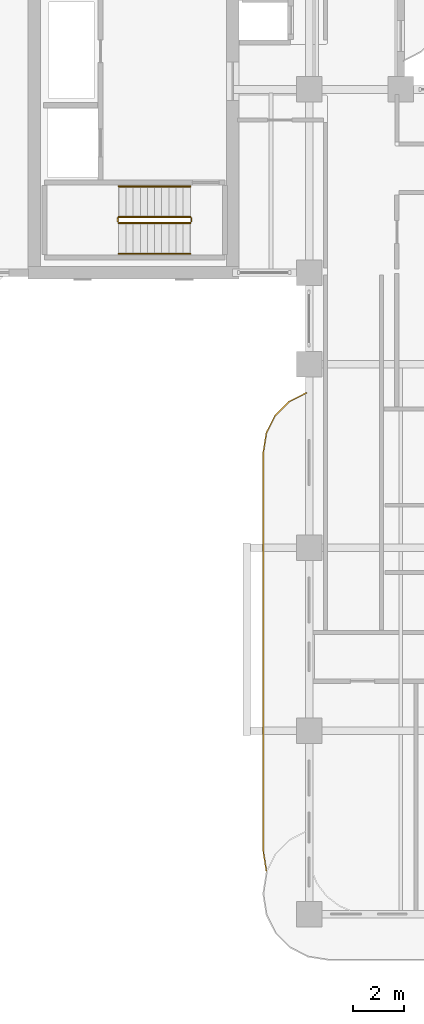
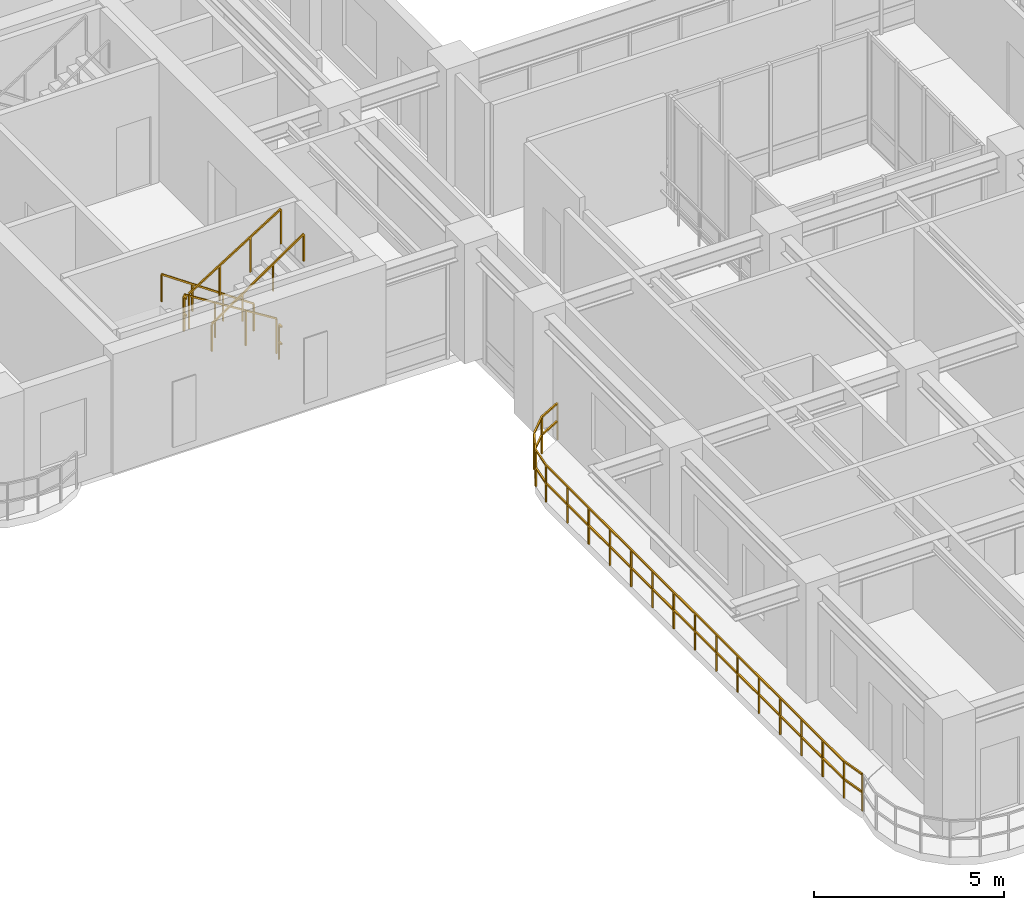
# One storey, part 17 of 21: 7 railings.
"""IFC4 building model written with IfcOpenShell, lengths in metres."""

import ifcopenshell
import ifcopenshell.guid

model = None  # the IFC model being written
_history = None  # IfcOwnerHistory: only IFC2X3 demands one
_inside = {}  # id of a spatial element -> (the spatial element, [elements in it])
_under = {}  # id of a project, library or spatial element -> (it, [spatial elements below it])
_declared = {}  # id of a project -> (the project, [libraries it declares])
_typed = {}  # id of a type object -> (the type object, [elements of that type])
_made_of = {}  # id of a material, layer set ... -> (it, [elements and type objects made of it])


def new_model(schema):
    """Start an empty IFC model of exactly this schema.

    Asked for "IFC4X3", IfcOpenShell would pick the latest addendum, in which some entities
    have other attributes; the version numbers below select the first issue.
    IFC2X3 requires an IfcOwnerHistory on every rooted entity: one is made here for all.
    """
    global model, _history
    if schema == "IFC4X3":
        model = ifcopenshell.file(schema_version=(4, 3, 0, 0))
    else:
        model = ifcopenshell.file(schema=schema)
    _inside.clear()
    _under.clear()
    _declared.clear()
    _typed.clear()
    _made_of.clear()
    _history = None
    if model.schema == "IFC2X3":
        org = make("IfcOrganization", Name="unknown")
        user = make(
            "IfcPersonAndOrganization",
            ThePerson=make("IfcPerson", FamilyName="unknown"),
            TheOrganization=org,
        )
        app = make(
            "IfcApplication",
            ApplicationDeveloper=org,
            Version="unknown",
            ApplicationFullName="unknown",
            ApplicationIdentifier="unknown",
        )
        _history = make(
            "IfcOwnerHistory",
            OwningUser=user,
            OwningApplication=app,
            ChangeAction="ADDED",
            CreationDate=0,
        )
    return model


def make(cls, **values):
    """One entity of the class cls with the attributes given. An attribute that is None is left unset."""
    return model.create_entity(
        cls, **{name: value for name, value in values.items() if value is not None}
    )


def rooted(cls, **values):
    """An entity with a GlobalId (a new one), such as an element, a storey or a relation."""
    return make(cls, GlobalId=ifcopenshell.guid.new(), OwnerHistory=_history, **values)


def si_unit(unit_type, name, prefix=None):
    """IfcSIUnit, for example si_unit("LENGTHUNIT", "METRE", prefix="MILLI")."""
    return make("IfcSIUnit", UnitType=unit_type, Prefix=prefix, Name=name)


def derived_unit(unit_type, elements):
    """IfcDerivedUnit: a product of units, each with its exponent."""
    return make(
        "IfcDerivedUnit",
        Elements=[
            make("IfcDerivedUnitElement", Unit=unit, Exponent=power)
            for unit, power in elements
        ],
        UnitType=unit_type,
    )


def assignment(units):
    """IfcUnitAssignment: the units of a project."""
    return None if units is None else make("IfcUnitAssignment", Units=units)


def point(xyz):
    """IfcCartesianPoint."""
    return None if xyz is None else make("IfcCartesianPoint", Coordinates=xyz)


def direction(xyz):
    """IfcDirection."""
    return None if xyz is None else make("IfcDirection", DirectionRatios=xyz)


def frame(location, z_axis=None, x_axis=None):
    """IfcAxis2Placement3D, a coordinate frame: its origin and axes. An axis left out is left unset."""
    return make(
        "IfcAxis2Placement3D",
        Location=point(location),
        Axis=direction(z_axis),
        RefDirection=direction(x_axis),
    )


def frame_2d(location, x_axis=None):
    """IfcAxis2Placement2D, a coordinate frame in the plane: its origin and x axis."""
    return make(
        "IfcAxis2Placement2D", Location=point(location), RefDirection=direction(x_axis)
    )


def origin():
    """The frame at (0, 0, 0) with its axes left unset."""
    return frame((0.0, 0.0, 0.0))


def origin_2d():
    """The frame at (0, 0) in the plane with its x axis left unset."""
    return frame_2d((0.0, 0.0))


def place(relative_to, where):
    """IfcLocalPlacement: puts the frame where relative to a parent placement (None: the world)."""
    return make(
        "IfcLocalPlacement", PlacementRelTo=relative_to, RelativePlacement=where
    )


def context(
    kind, dimensions, precision=None, world=None, true_north=None, identifier=None
):
    """IfcGeometricRepresentationContext, for example the 3D "Model" context."""
    return make(
        "IfcGeometricRepresentationContext",
        ContextIdentifier=identifier,
        ContextType=kind,
        CoordinateSpaceDimension=dimensions,
        Precision=precision,
        WorldCoordinateSystem=world,
        TrueNorth=true_north,
    )


def subcontext(parent, identifier, kind, view, scale=None):
    """IfcGeometricRepresentationSubContext, for example "Body" below "Model"."""
    return make(
        "IfcGeometricRepresentationSubContext",
        ContextIdentifier=identifier,
        ContextType=kind,
        ParentContext=parent,
        TargetScale=scale,
        TargetView=view,
    )


def project(units=None, contexts=None):
    """IfcProject with its units and contexts."""
    return rooted(
        "IfcProject",
        Name="project",
        RepresentationContexts=contexts,
        UnitsInContext=assignment(units),
    )


def spatial(cls, under=None, at=None, **own):
    """A site, building, storey or space (cls), placed at a placement, below another one or the project."""
    s = rooted(cls, ObjectPlacement=at, **own)
    if under is not None:
        _under.setdefault(under.id(), (under, []))[1].append(s)
    return s


def profile(cls, at=None, kind="AREA", **sizes):
    """A parametric profile (cls). Its sizes go by their IFC names, for example OverallWidth=200.0."""
    return make(cls, ProfileType=kind, Position=at, **sizes)


def rectangle(**sizes):
    """IfcRectangleProfileDef."""
    return profile("IfcRectangleProfileDef", **sizes)


def extrude(swept, where, along, depth):
    """IfcExtrudedAreaSolid: the profile swept, set in the frame where, extruded along a direction by depth."""
    return make(
        "IfcExtrudedAreaSolid",
        SweptArea=swept,
        Position=where,
        ExtrudedDirection=direction(along),
        Depth=depth,
    )


def shape(context_of_items, identifier, shape_type, items):
    """IfcShapeRepresentation: the items that make up one representation, for example the "Body"."""
    return make(
        "IfcShapeRepresentation",
        ContextOfItems=context_of_items,
        RepresentationIdentifier=identifier,
        RepresentationType=shape_type,
        Items=items,
    )


def material(Name=None, Category=None):
    """IfcMaterial."""
    return make("IfcMaterial", Name=Name, Category=Category)


def made_of(thing, what):
    """Note that an element or type object is made of a material, layer set ...; save() writes the relation."""
    if what is not None:
        _made_of.setdefault(what.id(), (what, []))[1].append(thing)
    return thing


def type_object(cls, material=None, **own):
    """A type object (cls), such as IfcWallType, which elements share."""
    return made_of(rooted(cls, **own), material)


def element(
    cls,
    number,
    at=None,
    inside=None,
    cuts=None,
    type_object=None,
    material=None,
    context=None,
    identifier="Body",
    shape_type=None,
    held_by="IfcProductDefinitionShape",
    body=None,
    shapes=None,
    **own,
):
    """One element of the class cls, such as IfcWall. Its Tag is "e" and its number.

    at: its placement. inside: the storey or other place that contains it. cuts: it is an
    opening in that element (IfcRelVoidsElement). A single representation is given by context,
    identifier, shape_type and body (its items); several are given by shapes. held_by: the class
    of the entity that holds the representations. save() writes the other relations.
    """
    e = rooted(cls, Tag="e%d" % number, ObjectPlacement=at, **own)
    if body is not None:
        shapes = [shape(context, identifier, shape_type, body)]
    if shapes is not None:
        e.Representation = make(held_by, Representations=shapes)
    if inside is not None:
        _inside.setdefault(inside.id(), (inside, []))[1].append(e)
    if cuts is not None:
        rooted(
            "IfcRelVoidsElement", RelatingBuildingElement=cuts, RelatedOpeningElement=e
        )
    if type_object is not None:
        _typed.setdefault(type_object.id(), (type_object, []))[1].append(e)
    return made_of(e, material)


def aggregate(whole, parts):
    """IfcRelAggregates: a whole, such as a stair, and the parts it consists of."""
    return rooted("IfcRelAggregates", RelatingObject=whole, RelatedObjects=parts)


def save(model, path):
    """Write the relations noted so far, then the file.

    IfcRelAggregates (storeys below a building ...), IfcRelContainedInSpatialStructure (elements
    in a storey), IfcRelDefinesByType, IfcRelAssociatesMaterial and IfcRelDeclares: one each for
    every whole, place, type object, material and project.
    """
    for whole, parts in _under.values():
        aggregate(whole, parts)
    for where, things in _inside.values():
        rooted(
            "IfcRelContainedInSpatialStructure",
            RelatedElements=things,
            RelatingStructure=where,
        )
    for kind, things in _typed.values():
        rooted("IfcRelDefinesByType", RelatedObjects=things, RelatingType=kind)
    for what, things in _made_of.values():
        rooted("IfcRelAssociatesMaterial", RelatedObjects=things, RelatingMaterial=what)
    for by, libraries in _declared.values():
        rooted("IfcRelDeclares", RelatingContext=by, RelatedDefinitions=libraries)
    model.write(path)


model = new_model("IFC4")

# Units and contexts
model_context = context("Model", 3, precision=1e-05, world=origin(), true_north=direction((0.0, 1.0)))
body_context = subcontext(model_context, "Body", "Model", "MODEL_VIEW")
ifc_project = project(units=[si_unit("LENGTHUNIT", "METRE"), si_unit("AREAUNIT", "SQUARE_METRE"), si_unit("VOLUMEUNIT", "CUBIC_METRE"), si_unit("PLANEANGLEUNIT", "RADIAN"), si_unit("MASSUNIT", "GRAM", prefix="KILO"), si_unit("THERMODYNAMICTEMPERATUREUNIT", "KELVIN"), si_unit("POWERUNIT", "WATT"), derived_unit("THERMALTRANSMITTANCEUNIT", [(si_unit("POWERUNIT", "WATT"), 1), (si_unit("AREAUNIT", "SQUARE_METRE"), -1), (si_unit("THERMODYNAMICTEMPERATUREUNIT", "KELVIN"), -1)])], contexts=[model_context])

# Site, building, storey
site_placement = place(None, origin())
site = spatial("IfcSite", under=ifc_project, at=site_placement, CompositionType="ELEMENT")
building_placement = place(site_placement, origin())
building = spatial("IfcBuilding", under=site, at=building_placement, Name="Zahravan Archway Hotel and Residences", CompositionType="ELEMENT")
storey_placement = place(building_placement, frame((0.0, 0.0, 165.699951171875)))
storey = spatial("IfcBuildingStorey", under=building, at=storey_placement, Name="L41", CompositionType="ELEMENT", Elevation=165.699951171875)

# Railings
ifc_material_1 = material(Name="Bronze & Laminated Glass Balustrade", Category="glass")
railing_type_1 = type_object("IfcRailingType", Name="RL-BAL-1200", PredefinedType="BALUSTRADE", material=ifc_material_1)
railing_1_placement = place(storey_placement, frame((12.719970703125, 1.69287109375, 0.0)))
element("IfcRailing", 1, at=railing_1_placement, inside=storey, type_object=railing_type_1, Name="L41 Balustrade RL-SLB-BAL-L41-WA-1", PredefinedType="BALUSTRADE", context=body_context, shape_type="SweptSolid", body=[
    extrude(rectangle(XDim=0.048095703125, YDim=0.048095703125, at=origin_2d()), frame((0.0, 0.0, 1.17578125), z_axis=(-0.156387811283, 0.987695728695, 0.0), x_axis=(-0.987695728695, -0.156387811283, 0.0)), (0.0, 0.0, 1.0), 0.7666015625),
    extrude(rectangle(XDim=0.048095703125, YDim=0.048095703125, at=origin_2d()), frame((0.0, 0.0, 0.60009765625), z_axis=(-0.156387811283, 0.987695728695, 0.0), x_axis=(-0.987695728695, -0.156387811283, 0.0)), (0.0, 0.0, 1.0), 0.7666015625),
    extrude(rectangle(XDim=0.048095703125, YDim=0.048095703125, at=origin_2d()), frame((-0.119873046875, 0.757080078125, 1.17578125), z_axis=(0.0, 1.0, 0.0), x_axis=(-1.0, 0.0, 0.0)), (0.0, 0.0, 1.0), 15.699951171875),
    extrude(rectangle(XDim=0.048095703125, YDim=0.048095703125, at=origin_2d()), frame((-0.119873046875, 0.757080078125, 0.60009765625), z_axis=(0.0, 1.0, 0.0), x_axis=(-1.0, 0.0, 0.0)), (0.0, 0.0, 1.0), 15.699951171875),
    extrude(rectangle(XDim=0.048095703125, YDim=0.048095703125, at=origin_2d()), frame((-0.119873046875, 16.45703125, 1.17578125), z_axis=(0.156387811283, 0.987695728695, 0.0), x_axis=(-0.987695728695, 0.156387811283, 0.0)), (0.0, 0.0, 1.0), 0.7666015625),
    extrude(rectangle(XDim=0.048095703125, YDim=0.048095703125, at=origin_2d()), frame((-0.119873046875, 16.45703125, 0.60009765625), z_axis=(0.156387811283, 0.987695728695, 0.0), x_axis=(-0.987695728695, 0.156387811283, 0.0)), (0.0, 0.0, 1.0), 0.7666015625),
    extrude(rectangle(XDim=0.048095703125, YDim=0.048095703125, at=origin_2d()), frame((0.0, 17.214111328125, 1.17578125), z_axis=(0.453825591531, 0.891090529897, 0.0), x_axis=(-0.891090529897, 0.453825591531, 0.0)), (0.0, 0.0, 1.0), 0.7666015625),
    extrude(rectangle(XDim=0.048095703125, YDim=0.048095703125, at=origin_2d()), frame((0.0, 17.214111328125, 0.60009765625), z_axis=(0.453825591531, 0.891090529897, 0.0), x_axis=(-0.891090529897, 0.453825591531, 0.0)), (0.0, 0.0, 1.0), 0.7666015625),
    extrude(rectangle(XDim=0.048095703125, YDim=0.048095703125, at=origin_2d()), frame((0.347900390625, 17.897216796875, 1.17578125), z_axis=(0.707106781187, 0.707106781187, 0.0), x_axis=(-0.707106781187, 0.707106781187, 0.0)), (0.0, 0.0, 1.0), 0.7666015625),
    extrude(rectangle(XDim=0.048095703125, YDim=0.048095703125, at=origin_2d()), frame((0.347900390625, 17.897216796875, 0.60009765625), z_axis=(0.707106781187, 0.707106781187, 0.0), x_axis=(-0.707106781187, 0.707106781187, 0.0)), (0.0, 0.0, 1.0), 0.7666015625),
    extrude(rectangle(XDim=0.048095703125, YDim=0.048095703125, at=origin_2d()), frame((0.889892578125, 18.439208984375, 1.17578125), z_axis=(0.891090529897, 0.453825591531, 0.0), x_axis=(-0.453825591531, 0.891090529897, 0.0)), (0.0, 0.0, 1.0), 0.7666015625),
    extrude(rectangle(XDim=0.048095703125, YDim=0.048095703125, at=origin_2d()), frame((0.889892578125, 18.439208984375, 0.60009765625), z_axis=(0.891090529897, 0.453825591531, 0.0), x_axis=(-0.453825591531, 0.891090529897, 0.0)), (0.0, 0.0, 1.0), 0.7666015625),
    extrude(rectangle(XDim=0.0419921875, YDim=0.0419921875, at=origin_2d()), origin(), (0.0, 0.0, 1.0), 1.15185546875),
    extrude(rectangle(XDim=0.0419921875, YDim=0.0419921875, at=origin_2d()), frame((-0.119873046875, 0.757080078125, 0.0)), (0.0, 0.0, 1.0), 1.15185546875),
    extrude(rectangle(XDim=0.0419921875, YDim=0.0419921875, at=origin_2d()), frame((-0.119873046875, 1.87841796875, 0.0)), (0.0, 0.0, 1.0), 1.15185546875),
    extrude(rectangle(XDim=0.0419921875, YDim=0.0419921875, at=origin_2d()), frame((-0.119873046875, 3.0, 0.0)), (0.0, 0.0, 1.0), 1.15185546875),
    extrude(rectangle(XDim=0.0419921875, YDim=0.0419921875, at=origin_2d()), frame((-0.119873046875, 4.121337890625, 0.0)), (0.0, 0.0, 1.0), 1.15185546875),
    extrude(rectangle(XDim=0.0419921875, YDim=0.0419921875, at=origin_2d()), frame((-0.119873046875, 5.24267578125, 0.0)), (0.0, 0.0, 1.0), 1.15185546875),
    extrude(rectangle(XDim=0.0419921875, YDim=0.0419921875, at=origin_2d()), frame((-0.119873046875, 6.3642578125, 0.0)), (0.0, 0.0, 1.0), 1.15185546875),
    extrude(rectangle(XDim=0.0419921875, YDim=0.0419921875, at=origin_2d()), frame((-0.119873046875, 7.485595703125, 0.0)), (0.0, 0.0, 1.0), 1.15185546875),
    extrude(rectangle(XDim=0.0419921875, YDim=0.0419921875, at=origin_2d()), frame((-0.119873046875, 8.60693359375, 0.0)), (0.0, 0.0, 1.0), 1.15185546875),
    extrude(rectangle(XDim=0.0419921875, YDim=0.0419921875, at=origin_2d()), frame((-0.119873046875, 9.728515625, 0.0)), (0.0, 0.0, 1.0), 1.15185546875),
    extrude(rectangle(XDim=0.0419921875, YDim=0.0419921875, at=origin_2d()), frame((-0.119873046875, 10.849853515625, 0.0)), (0.0, 0.0, 1.0), 1.15185546875),
    extrude(rectangle(XDim=0.0419921875, YDim=0.0419921875, at=origin_2d()), frame((-0.119873046875, 11.971435546875, 0.0)), (0.0, 0.0, 1.0), 1.15185546875),
    extrude(rectangle(XDim=0.0419921875, YDim=0.0419921875, at=origin_2d()), frame((-0.119873046875, 13.0927734375, 0.0)), (0.0, 0.0, 1.0), 1.15185546875),
    extrude(rectangle(XDim=0.0419921875, YDim=0.0419921875, at=origin_2d()), frame((-0.119873046875, 14.214111328125, 0.0)), (0.0, 0.0, 1.0), 1.15185546875),
    extrude(rectangle(XDim=0.0419921875, YDim=0.0419921875, at=origin_2d()), frame((-0.119873046875, 15.335693359375, 0.0)), (0.0, 0.0, 1.0), 1.15185546875),
    extrude(rectangle(XDim=0.0419921875, YDim=0.0419921875, at=origin_2d()), frame((-0.119873046875, 16.45703125, 0.0)), (0.0, 0.0, 1.0), 1.15185546875),
    extrude(rectangle(XDim=0.0419921875, YDim=0.0419921875, at=origin_2d()), frame((0.0, 17.214111328125, 0.0)), (0.0, 0.0, 1.0), 1.15185546875),
    extrude(rectangle(XDim=0.0419921875, YDim=0.0419921875, at=origin_2d()), frame((0.347900390625, 17.897216796875, 0.0)), (0.0, 0.0, 1.0), 1.15185546875),
    extrude(rectangle(XDim=0.0419921875, YDim=0.0419921875, at=origin_2d()), frame((0.889892578125, 18.439208984375, 0.0)), (0.0, 0.0, 1.0), 1.15185546875),
    extrude(rectangle(XDim=0.0419921875, YDim=0.0419921875, at=origin_2d()), frame((1.572998046875, 18.787109375, 0.0)), (0.0, 0.0, 1.0), 1.15185546875),
])
ifc_material_2 = material(Name="Painted Tubular Steel", Category="steel")
railing_type_2 = type_object("IfcRailingType", Name="RL-STG-1150", PredefinedType="GUARDRAIL", material=ifc_material_2)
railing_2_placement = place(storey_placement, frame((9.72998046875, 27.389892578125, 0.175048828125)))
element("IfcRailing", 2, at=railing_2_placement, inside=storey, type_object=railing_type_2, Name="L41 ST-B1 stair guard 1", PredefinedType="GUARDRAIL", context=body_context, shape_type="SweptSolid", body=[
    extrude(rectangle(XDim=0.048095703125, YDim=0.048095703125, at=origin_2d()), frame((0.0, 0.0, 1.1259765625), z_axis=(-0.848002457836, 0.0, 0.529992293815), x_axis=(0.0, -1.0, 0.0)), (0.0, 0.0, 1.0), 3.302001953125),
    extrude(rectangle(XDim=0.0419921875, YDim=0.0419921875, at=origin_2d()), origin(), (0.0, 0.0, 1.0), 1.101806640625),
    extrude(rectangle(XDim=0.0419921875, YDim=0.0419921875, at=origin_2d()), frame((-0.933349609375, 0.0, 0.583251953125)), (0.0, 0.0, 1.0), 1.101806640625),
    extrude(rectangle(XDim=0.0419921875, YDim=0.0419921875, at=origin_2d()), frame((-1.86669921875, 0.0, 1.166748046875)), (0.0, 0.0, 1.0), 1.101806640625),
    extrude(rectangle(XDim=0.0419921875, YDim=0.0419921875, at=origin_2d()), frame((-2.800048828125, 0.0, 1.75)), (0.0, 0.0, 1.0), 1.101806640625),
])
railing_3_placement = place(storey_placement, frame((6.8798828125, 27.340087890625, 1.925048828125)))
element("IfcRailing", 3, at=railing_3_placement, inside=storey, type_object=railing_type_2, Name="L41 ST-B1 stair guard 2", PredefinedType="GUARDRAIL", context=body_context, shape_type="SweptSolid", body=[
    extrude(rectangle(XDim=0.048095703125, YDim=0.048095703125, at=origin_2d()), frame((0.0, 0.0, 1.1259765625), z_axis=(0.0, -1.0, 0.0), x_axis=(1.0, 0.0, 0.0)), (0.0, 0.0, 1.0), 0.14013671875),
    extrude(rectangle(XDim=0.048095703125, YDim=0.048095703125, at=origin_2d()), frame((0.0, 0.0, 0.574951171875), z_axis=(0.0, -1.0, 0.0), x_axis=(1.0, 0.0, 0.0)), (0.0, 0.0, 1.0), 0.14013671875),
    extrude(rectangle(XDim=0.0419921875, YDim=0.0419921875, at=origin_2d()), origin(), (0.0, 0.0, 1.0), 1.101806640625),
])
railing_4_placement = place(storey_placement, frame((6.929931640625, 27.14990234375, 2.10009765625)))
element("IfcRailing", 4, at=railing_4_placement, inside=storey, type_object=railing_type_2, Name="L41 ST-B1 stair guard 3", PredefinedType="GUARDRAIL", context=body_context, shape_type="SweptSolid", body=[
    extrude(rectangle(XDim=0.048095703125, YDim=0.048095703125, at=origin_2d()), frame((0.0, 0.0, 1.1259765625), z_axis=(0.848002457836, 0.0, 0.529992293815), x_axis=(0.0, 1.0, 0.0)), (0.0, 0.0, 1.0), 3.302001953125),
    extrude(rectangle(XDim=0.0419921875, YDim=0.0419921875, at=origin_2d()), origin(), (0.0, 0.0, 1.0), 1.101806640625),
    extrude(rectangle(XDim=0.0419921875, YDim=0.0419921875, at=origin_2d()), frame((0.933349609375, 0.0, 0.583251953125)), (0.0, 0.0, 1.0), 1.101806640625),
    extrude(rectangle(XDim=0.0419921875, YDim=0.0419921875, at=origin_2d()), frame((1.86669921875, 0.0, 1.166748046875)), (0.0, 0.0, 1.0), 1.101806640625),
    extrude(rectangle(XDim=0.0419921875, YDim=0.0419921875, at=origin_2d()), frame((2.800048828125, 0.0, 1.75)), (0.0, 0.0, 1.0), 1.101806640625),
])
railing_5_placement = place(storey_placement, frame((9.780029296875, 27.340087890625, 0.0)))
element("IfcRailing", 5, at=railing_5_placement, inside=storey, type_object=railing_type_2, Name="L41 ST-B1 stair guard 4", PredefinedType="GUARDRAIL", context=body_context, shape_type="SweptSolid", body=[
    extrude(rectangle(XDim=0.048095703125, YDim=0.048095703125, at=origin_2d()), frame((0.0, 0.0, 1.1259765625), z_axis=(0.0, -1.0, 0.0), x_axis=(1.0, 0.0, 0.0)), (0.0, 0.0, 1.0), 0.14013671875),
    extrude(rectangle(XDim=0.048095703125, YDim=0.048095703125, at=origin_2d()), frame((0.0, 0.0, 0.574951171875), z_axis=(0.0, -1.0, 0.0), x_axis=(1.0, 0.0, 0.0)), (0.0, 0.0, 1.0), 0.14013671875),
    extrude(rectangle(XDim=0.0419921875, YDim=0.0419921875, at=origin_2d()), origin(), (0.0, 0.0, 1.0), 1.101806640625),
])
ifc_material_3 = material(Name="Brushed Stainless Steel", Category="steel")
railing_type_3 = type_object("IfcRailingType", Name="RL-STH-900", PredefinedType="HANDRAIL", material=ifc_material_3)
railing_6_placement = place(storey_placement, frame((9.72998046875, 28.590087890625, 0.175048828125)))
element("IfcRailing", 6, at=railing_6_placement, inside=storey, type_object=railing_type_3, Name="L41 ST-B1 stair handrail 1", PredefinedType="HANDRAIL", context=body_context, shape_type="SweptSolid", body=[
    extrude(rectangle(XDim=0.048095703125, YDim=0.048095703125, at=origin_2d()), frame((0.0, 0.0, 0.8759765625), z_axis=(-0.824039827795, 0.0, 0.566531872191), x_axis=(0.0, -1.0, 0.0)), (0.0, 0.0, 1.0), 3.39794921875),
    extrude(rectangle(XDim=0.0419921875, YDim=0.0419921875, at=origin_2d()), origin(), (0.0, 0.0, 1.0), 0.851806640625),
    extrude(rectangle(XDim=0.0419921875, YDim=0.0419921875, at=origin_2d()), frame((-0.933349609375, 0.0, 0.6416015625)), (0.0, 0.0, 1.0), 0.851806640625),
    extrude(rectangle(XDim=0.0419921875, YDim=0.0419921875, at=origin_2d()), frame((-1.86669921875, 0.0, 1.283447265625)), (0.0, 0.0, 1.0), 0.851806640625),
    extrude(rectangle(XDim=0.0419921875, YDim=0.0419921875, at=origin_2d()), frame((-2.800048828125, 0.0, 1.925048828125)), (0.0, 0.0, 1.0), 0.851806640625),
])
railing_7_placement = place(storey_placement, frame((6.929931640625, 25.949951171875, 2.10009765625)))
element("IfcRailing", 7, at=railing_7_placement, inside=storey, type_object=railing_type_3, Name="L41 ST-B1 stair handrail 2", PredefinedType="HANDRAIL", context=body_context, shape_type="SweptSolid", body=[
    extrude(rectangle(XDim=0.048095703125, YDim=0.048095703125, at=origin_2d()), frame((0.0, 0.0, 0.8759765625), z_axis=(0.824039827795, 0.0, 0.566531872191), x_axis=(0.0, 1.0, 0.0)), (0.0, 0.0, 1.0), 3.39794921875),
    extrude(rectangle(XDim=0.0419921875, YDim=0.0419921875, at=origin_2d()), origin(), (0.0, 0.0, 1.0), 0.851806640625),
    extrude(rectangle(XDim=0.0419921875, YDim=0.0419921875, at=origin_2d()), frame((0.933349609375, 0.0, 0.6416015625)), (0.0, 0.0, 1.0), 0.851806640625),
    extrude(rectangle(XDim=0.0419921875, YDim=0.0419921875, at=origin_2d()), frame((1.86669921875, 0.0, 1.283447265625)), (0.0, 0.0, 1.0), 0.851806640625),
    extrude(rectangle(XDim=0.0419921875, YDim=0.0419921875, at=origin_2d()), frame((2.800048828125, 0.0, 1.925048828125)), (0.0, 0.0, 1.0), 0.851806640625),
])

save(model, "model.ifc")
